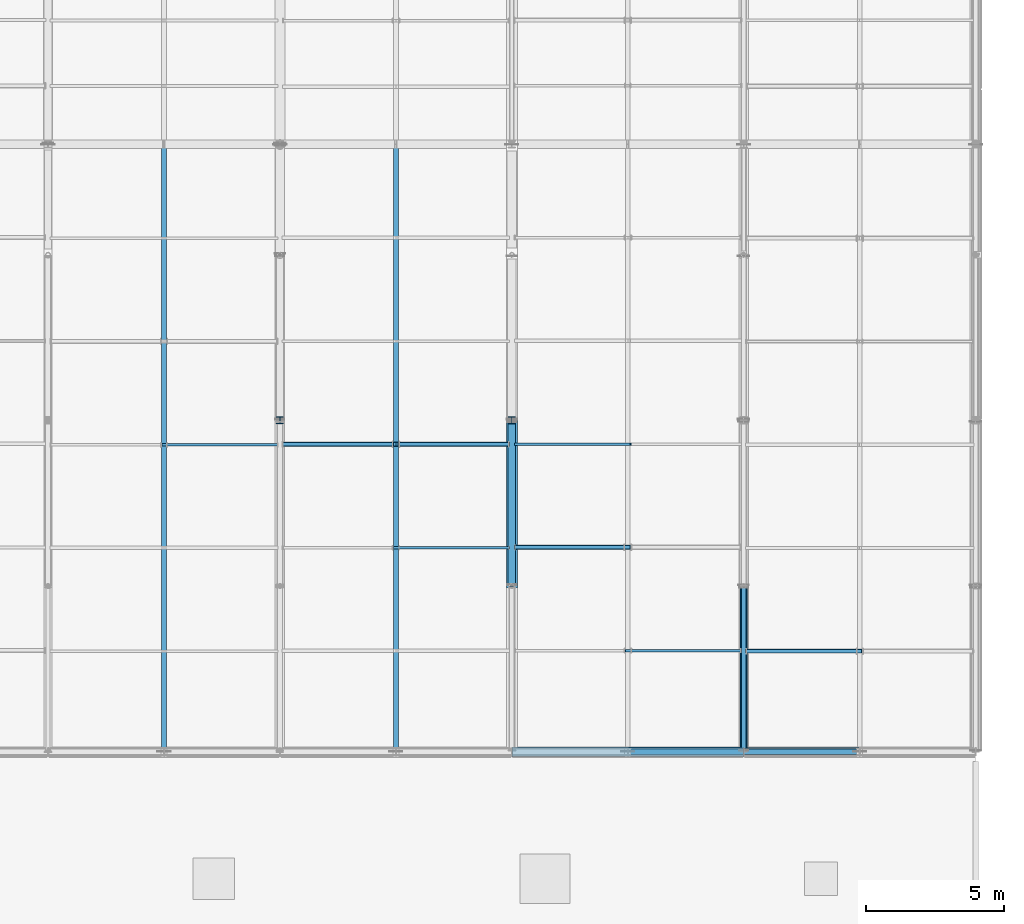
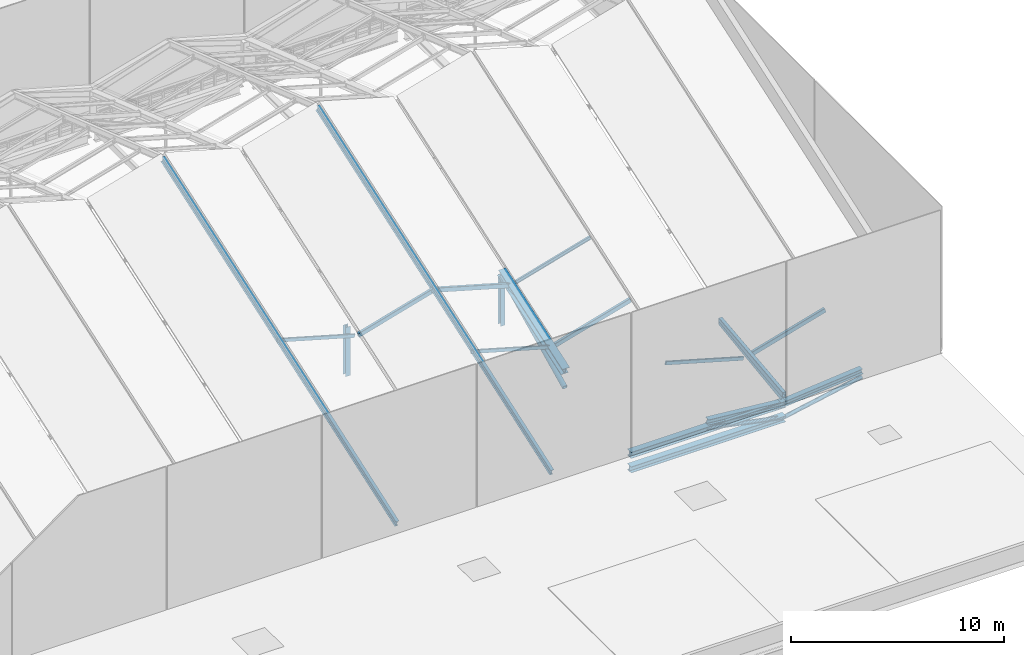
# One storey, part 22 of 77: 22 members.
"""IFC4 building model written with IfcOpenShell, lengths in metres."""

from ifc_helpers import new_model, si_unit, direction, frame, origin, origin_2d, place, context, subcontext, project, spatial, hollow_rectangle, hollow_circle, i_section, extrude, material, material_profile, profile_set, type_object, element, save


model = new_model("IFC4")

# Units and contexts
model_context = context("Model", 3, precision=1e-05, world=origin(), true_north=direction((0.0, 1.0)))
body_context = subcontext(model_context, "Body", "Model", "MODEL_VIEW")
ifc_project = project(units=[si_unit("LENGTHUNIT", "METRE"), si_unit("AREAUNIT", "SQUARE_METRE"), si_unit("VOLUMEUNIT", "CUBIC_METRE"), si_unit("PLANEANGLEUNIT", "RADIAN"), si_unit("MASSUNIT", "GRAM", prefix="KILO")], contexts=[model_context])

# Site, building, storey
site_placement = place(None, origin())
site = spatial("IfcSite", under=ifc_project, at=site_placement, CompositionType="ELEMENT")
building_placement = place(site_placement, origin())
building = spatial("IfcBuilding", under=site, at=building_placement, Name="Larkvane Passage Sports Hall", CompositionType="ELEMENT")
storey_placement = place(building_placement, frame((0.0, 0.0, 22.199951171875)))
storey = spatial("IfcBuildingStorey", under=building, at=storey_placement, Name="RF", CompositionType="ELEMENT", Elevation=22.199951171875)

# Members
ifc_material_1 = material(Name="Steel S355JR", Category="steel")
ifc_material_profile_1 = material_profile(ifc_material_1, hollow_circle(Radius=0.108154296875, WallThickness=0.00830078125, at=origin_2d()), Name="CHS-216.3x8.2")
ifc_profile_set_1 = profile_set([ifc_material_profile_1], Name="Steel S355JR")
member_type_1 = type_object("IfcMemberType", Name="MBR-BR-CHS216", PredefinedType="BRACE", material=ifc_profile_set_1)
for number, where, z_axis, x_axis, name in (
    (1, (81.0, 39.60009765625, 0.050048828125), (0.98102339237, 0.0, -0.193889410804), (0.0, 1.0, 0.0), "Arena south valley eave truss web 6B"),
    (2, (85.199951171875, 39.60009765625, -0.780029296875), (0.98102339237, 0.0, 0.193889410804), (0.0, 1.0, 0.0), "Arena south valley eave truss web 7A"),
):
    element("IfcMember", number, at=place(storey_placement, frame(where, z_axis=z_axis, x_axis=x_axis)), inside=storey, type_object=member_type_1, Name=name, PredefinedType="BRACE", context=body_context, shape_type="SweptSolid", body=[
        extrude(hollow_circle(Radius=0.108154296875, WallThickness=0.00830078125, at=origin_2d()), origin(), (0.0, 0.0, 1.0), 4.28125),
    ])
ifc_material_profile_2 = material_profile(ifc_material_1, hollow_circle(Radius=0.1337890625, WallThickness=0.00927734375, at=origin_2d()), Name="CHS-267.4x9.3")
ifc_profile_set_2 = profile_set([ifc_material_profile_2], Name="Steel S355JR")
member_type_2 = type_object("IfcMemberType", Name="MBR-BR-CHS267", PredefinedType="BRACE", material=ifc_profile_set_2)
member_1_placement = place(storey_placement, frame((76.800048828125, 45.64990234375, 0.18994140625), z_axis=(0.0, 0.900709571031, 0.434421763559), x_axis=(-1.0, 0.0, 0.0)))
element("IfcMember", 3, at=member_1_placement, inside=storey, type_object=member_type_2, Name="Arena roof truss 6 web brace 2", PredefinedType="BRACE", context=body_context, shape_type="SweptSolid", body=[
    extrude(hollow_circle(Radius=0.1337890625, WallThickness=0.00927734375, at=origin_2d()), origin(), (0.0, 0.0, 1.0), 6.550537109375),
])
member_2_placement = place(storey_placement, frame((85.199951171875, 39.64990234375, 0.215087890625), z_axis=(0.0, 0.990985957758, 0.133965784913), x_axis=(-1.0, 0.0, 0.0)))
element("IfcMember", 4, at=member_2_placement, inside=storey, type_object=member_type_2, Name="Arena roof truss 7 web brace 1", PredefinedType="BRACE", context=body_context, shape_type="SweptSolid", body=[
    extrude(hollow_circle(Radius=0.1337890625, WallThickness=0.00927734375, at=origin_2d()), origin(), (0.0, 0.0, 1.0), 5.953857421875),
])
ifc_material_2 = material(Name="Steel S460N", Category="steel")
ifc_material_profile_3 = material_profile(ifc_material_2, i_section(OverallWidth=0.300048828125, OverallDepth=0.300048828125, WebThickness=0.010009765625, FlangeThickness=0.014892578125, FilletRadius=0.012939453125, at=origin_2d()), Name="H-300x300x10x15")
ifc_profile_set_3 = profile_set([ifc_material_profile_3], Name="Steel S460N")
member_type_3 = type_object("IfcMemberType", Name="MBR-CH-H300", PredefinedType="CHORD", material=ifc_profile_set_3)
for number, where, z_axis, x_axis, name in (
    (5, (81.0, 39.60009765625, 0.449951171875), (0.99549755299, 0.0, -0.094787245934), (0.0, 1.0, 0.0), "Arena roof fold tie 6-SEAVE-E"),
    (6, (85.199951171875, 39.60009765625, 0.050048828125), (0.99549755299, 0.0, 0.094787245934), (0.0, 1.0, 0.0), "Arena roof fold tie 7-SEAVE-W"),
):
    element("IfcMember", number, at=place(storey_placement, frame(where, z_axis=z_axis, x_axis=x_axis)), inside=storey, type_object=member_type_3, Name=name, PredefinedType="CHORD", context=body_context, shape_type="SweptSolid", body=[
        extrude(i_section(OverallWidth=0.300048828125, OverallDepth=0.300048828125, WebThickness=0.010009765625, FlangeThickness=0.014892578125, FilletRadius=0.012939453125, at=origin_2d()), origin(), (0.0, 0.0, 1.0), 4.218994140625),
    ])
ifc_material_profile_4 = material_profile(ifc_material_2, i_section(OverallWidth=0.35009765625, OverallDepth=0.35009765625, WebThickness=0.011962890625, FlangeThickness=0.01904296875, FilletRadius=0.012939453125, at=origin_2d()), Name="H-350x350x12x19")
ifc_profile_set_4 = profile_set([ifc_material_profile_4], Name="Steel S460N")
member_type_4 = type_object("IfcMemberType", Name="MBR-CH-H350", PredefinedType="CHORD", material=ifc_profile_set_4)
for number, where, z_axis, x_axis, name in (
    (7, (76.800048828125, 39.60009765625, -0.780029296875), (1.0, 0.0, 0.0), (0.0, 1.0, 0.0), "Arena south valley eave truss bottom chord 6"),
    (8, (76.800048828125, 39.60009765625, 0.050048828125), (1.0, 0.0, 0.0), (0.0, 1.0, 0.0), "Arena south valley eave truss top chord 6"),
):
    element("IfcMember", number, at=place(storey_placement, frame(where, z_axis=z_axis, x_axis=x_axis)), inside=storey, type_object=member_type_4, Name=name, PredefinedType="CHORD", context=body_context, shape_type="SweptSolid", body=[
        extrude(i_section(OverallWidth=0.35009765625, OverallDepth=0.35009765625, WebThickness=0.011962890625, FlangeThickness=0.01904296875, FilletRadius=0.012939453125, at=origin_2d()), origin(), (0.0, 0.0, 1.0), 8.39990234375),
    ])
ifc_material_profile_5 = material_profile(ifc_material_2, i_section(OverallWidth=0.39990234375, OverallDepth=0.39990234375, WebThickness=0.012939453125, FlangeThickness=0.02099609375, FilletRadius=0.02197265625, at=origin_2d()), Name="H-400x400x13x21")
ifc_profile_set_5 = profile_set([ifc_material_profile_5], Name="Steel S460N")
member_type_5 = type_object("IfcMemberType", Name="MBR-CH-H400", PredefinedType="CHORD", material=ifc_profile_set_5)
member_3_placement = place(storey_placement, frame((76.800048828125, 45.60009765625, 1.15283203125), z_axis=(0.0, 0.945188910593, 0.326524001096), x_axis=(-1.0, 0.0, 0.0)))
element("IfcMember", 9, at=member_3_placement, inside=storey, type_object=member_type_5, Name="Arena roof truss 6 top chord 2", PredefinedType="CHORD", context=body_context, shape_type="SweptSolid", body=[
    extrude(i_section(OverallWidth=0.39990234375, OverallDepth=0.39990234375, WebThickness=0.012939453125, FlangeThickness=0.02099609375, FilletRadius=0.02197265625, at=origin_2d()), origin(), (0.0, 0.0, 1.0), 6.347900390625),
])
ifc_material_profile_6 = material_profile(ifc_material_2, hollow_rectangle(XDim=0.199951171875, YDim=0.300048828125, WallThickness=0.011962890625, InnerFilletRadius=0.011962890625, OuterFilletRadius=0.02392578125, at=origin_2d()), Name="RHS-300x200x12")
ifc_profile_set_6 = profile_set([ifc_material_profile_6], Name="Steel S460N")
member_type_6 = type_object("IfcMemberType", Name="MBR-CH-RHS300", PredefinedType="CHORD", material=ifc_profile_set_6)
member_4_placement = place(storey_placement, frame((85.199951171875, 39.60009765625, 0.5), z_axis=(0.0, 0.994132743148, 0.108166949674), x_axis=(-1.0, 0.0, 0.0)))
element("IfcMember", 10, at=member_4_placement, inside=storey, type_object=member_type_6, Name="Arena roof truss 7 top chord 1", PredefinedType="CHORD", context=body_context, shape_type="SweptSolid", body=[
    extrude(hollow_rectangle(XDim=0.199951171875, YDim=0.300048828125, WallThickness=0.011962890625, InnerFilletRadius=0.011962890625, OuterFilletRadius=0.02392578125, at=origin_2d()), origin(), (0.0, 0.0, 1.0), 6.035400390625),
])
ifc_material_profile_7 = material_profile(ifc_material_1, i_section(OverallWidth=0.10009765625, OverallDepth=0.199951171875, WebThickness=0.005615234375, FlangeThickness=0.008056640625, FilletRadius=0.008056640625, at=origin_2d()), Name="H-200x100x5.5x8")
ifc_profile_set_7 = profile_set([ifc_material_profile_7], Name="Steel S355JR")
member_type_7 = type_object("IfcMemberType", Name="MBR-PR-H200", PredefinedType="PURLIN", material=ifc_profile_set_7)
member_5_placement = place(storey_placement, frame((76.916015625, 50.740234375, 2.993896484375), z_axis=(0.961511291812, 0.0, 0.274765419436), x_axis=(0.0, 1.0, 0.0)))
element("IfcMember", 11, at=member_5_placement, inside=storey, type_object=member_type_7, Name="Folded roof purlin FRP-B6-SW-3", PredefinedType="PURLIN", context=body_context, shape_type="SweptSolid", body=[
    extrude(i_section(OverallWidth=0.10009765625, OverallDepth=0.199951171875, WebThickness=0.005615234375, FlangeThickness=0.008056640625, FilletRadius=0.008056640625, at=origin_2d()), origin(), (0.0, 0.0, 1.0), 4.3681640625),
])
ifc_material_profile_8 = material_profile(ifc_material_1, hollow_rectangle(XDim=0.10009765625, YDim=0.199951171875, WallThickness=0.008056640625, InnerFilletRadius=0.008056640625, OuterFilletRadius=0.01611328125, at=origin_2d()), Name="RHS-200x100x8")
ifc_profile_set_8 = profile_set([ifc_material_profile_8], Name="Steel S355JR")
member_type_8 = type_object("IfcMemberType", Name="MBR-PR-RHS200", PredefinedType="PURLIN", material=ifc_profile_set_8)
member_6_placement = place(storey_placement, frame((64.104736328125, 50.715087890625, 4.26708984375), z_axis=(0.961515511102, 0.0, -0.274750654067), x_axis=(0.0, 1.0, 0.0)))
element("IfcMember", 12, at=member_6_placement, inside=storey, type_object=member_type_8, Name="Folded roof purlin FRP-B4-SE-3", PredefinedType="PURLIN", context=body_context, shape_type="SweptSolid", body=[
    extrude(hollow_rectangle(XDim=0.10009765625, YDim=0.199951171875, WallThickness=0.008056640625, InnerFilletRadius=0.008056640625, OuterFilletRadius=0.01611328125, at=origin_2d()), origin(), (0.0, 0.0, 1.0), 4.368408203125),
])
member_7_placement = place(storey_placement, frame((72.494384765625, 46.987548828125, 2.9384765625), z_axis=(0.96152605678, 0.0, -0.274713745804), x_axis=(0.0, 1.0, 0.0)))
element("IfcMember", 13, at=member_7_placement, inside=storey, type_object=member_type_8, Name="Folded roof purlin FRP-B5-SE-2", PredefinedType="PURLIN", context=body_context, shape_type="SweptSolid", body=[
    extrude(hollow_rectangle(XDim=0.10009765625, YDim=0.199951171875, WallThickness=0.008056640625, InnerFilletRadius=0.008056640625, OuterFilletRadius=0.01611328125, at=origin_2d()), origin(), (0.0, 0.0, 1.0), 4.367919921875),
])
member_8_placement = place(storey_placement, frame((80.884033203125, 43.26025390625, 1.610107421875), z_axis=(0.961511291812, 0.0, -0.274765419436), x_axis=(0.0, 1.0, 0.0)))
element("IfcMember", 14, at=member_8_placement, inside=storey, type_object=member_type_8, Name="Folded roof purlin FRP-B6-SE-1", PredefinedType="PURLIN", context=body_context, shape_type="SweptSolid", body=[
    extrude(hollow_rectangle(XDim=0.10009765625, YDim=0.199951171875, WallThickness=0.008056640625, InnerFilletRadius=0.008056640625, OuterFilletRadius=0.01611328125, at=origin_2d()), origin(), (0.0, 0.0, 1.0), 4.3681640625),
])
ifc_material_profile_9 = material_profile(ifc_material_1, hollow_rectangle(XDim=0.14990234375, YDim=0.25, WallThickness=0.009033203125, InnerFilletRadius=0.009033203125, OuterFilletRadius=0.01806640625, at=origin_2d()), Name="RHS-250x150x9")
ifc_profile_set_9 = profile_set([ifc_material_profile_9], Name="Steel S355JR")
member_type_9 = type_object("IfcMemberType", Name="MBR-PR-RHS250", PredefinedType="PURLIN", material=ifc_profile_set_9)
member_9_placement = place(storey_placement, frame((68.51220703125, 50.735595703125, 3.007568359375), z_axis=(0.961511291812, 0.0, 0.274765419436), x_axis=(0.0, 1.0, 0.0)))
element("IfcMember", 15, at=member_9_placement, inside=storey, type_object=member_type_9, Name="Folded roof purlin FRP-B5-SW-3", PredefinedType="PURLIN", context=body_context, shape_type="SweptSolid", body=[
    extrude(hollow_rectangle(XDim=0.14990234375, YDim=0.25, WallThickness=0.009033203125, InnerFilletRadius=0.009033203125, OuterFilletRadius=0.01806640625, at=origin_2d()), origin(), (0.0, 0.0, 1.0), 4.3681640625),
])
member_10_placement = place(storey_placement, frame((72.48779296875, 50.735595703125, 4.207763671875), z_axis=(0.961515511102, 0.0, -0.274750654067), x_axis=(0.0, 1.0, 0.0)))
element("IfcMember", 16, at=member_10_placement, inside=storey, type_object=member_type_9, Name="Folded roof purlin FRP-B5-SE-3", PredefinedType="PURLIN", context=body_context, shape_type="SweptSolid", body=[
    extrude(hollow_rectangle(XDim=0.14990234375, YDim=0.25, WallThickness=0.009033203125, InnerFilletRadius=0.009033203125, OuterFilletRadius=0.01806640625, at=origin_2d()), origin(), (0.0, 0.0, 1.0), 4.368408203125),
])
for number, where, z_axis, x_axis, name in (
    (17, (76.922607421875, 47.008056640625, 1.67919921875), (0.96152605678, 0.0, 0.274713745804), (0.0, 1.0, 0.0), "Folded roof purlin FRP-B6-SW-2"),
    (18, (85.3017578125, 43.242919921875, 0.460205078125), (0.96152605678, 0.0, 0.274713745804), (0.0, 1.0, 0.0), "Folded roof purlin FRP-B7-SW-1"),
):
    element("IfcMember", number, at=place(storey_placement, frame(where, z_axis=z_axis, x_axis=x_axis)), inside=storey, type_object=member_type_9, Name=name, PredefinedType="PURLIN", context=body_context, shape_type="SweptSolid", body=[
        extrude(hollow_rectangle(XDim=0.14990234375, YDim=0.25, WallThickness=0.009033203125, InnerFilletRadius=0.009033203125, OuterFilletRadius=0.01806640625, at=origin_2d()), origin(), (0.0, 0.0, 1.0), 4.367919921875),
    ])
ifc_material_profile_10 = material_profile(ifc_material_1, i_section(OverallWidth=0.175048828125, OverallDepth=0.35009765625, WebThickness=0.007080078125, FlangeThickness=0.010986328125, FilletRadius=0.012939453125, at=origin_2d()), Name="H-350x175x7x11")
ifc_profile_set_10 = profile_set([ifc_material_profile_10], Name="Steel S355JR")
member_type_10 = type_object("IfcMemberType", Name="MBR-RF-H350", PredefinedType="RAFTER", material=ifc_profile_set_10)
for number, where, z_axis, x_axis, name in (
    (19, (64.199951171875, 39.60009765625, 0.449951171875), (0.0, 0.945188910593, 0.326524001096), (-1.0, 0.0, 0.0), "Arena roof fold peak rafter 4-S"),
    (20, (72.60009765625, 39.60009765625, 0.449951171875), (0.0, 0.945188910593, 0.326524001096), (-1.0, 0.0, 0.0), "Arena roof fold peak rafter 5-S"),
):
    element("IfcMember", number, at=place(storey_placement, frame(where, z_axis=z_axis, x_axis=x_axis)), inside=storey, type_object=member_type_10, Name=name, PredefinedType="RAFTER", context=body_context, shape_type="SweptSolid", body=[
        extrude(i_section(OverallWidth=0.175048828125, OverallDepth=0.35009765625, WebThickness=0.007080078125, FlangeThickness=0.010986328125, FilletRadius=0.012939453125, at=origin_2d()), origin(), (0.0, 0.0, 1.0), 23.27587890625),
    ])
ifc_material_profile_11 = material_profile(ifc_material_1, i_section(OverallWidth=0.25, OverallDepth=0.25, WebThickness=0.009033203125, FlangeThickness=0.013916015625, FilletRadius=0.012939453125, at=origin_2d()), Name="H-250x250x9x14")
ifc_profile_set_11 = profile_set([ifc_material_profile_11], Name="Steel S355JR")
member_type_11 = type_object("IfcMemberType", Name="MBR-ST-H250", PredefinedType="STRUT", material=ifc_profile_set_11)
member_11_placement = place(storey_placement, frame((68.39990234375, 51.60009765625, 0.239990234375), z_axis=(0.0, 0.0, 1.0), x_axis=(1.0, 0.0, 0.0)))
element("IfcMember", 21, at=member_11_placement, inside=storey, type_object=member_type_11, Name="Arena roof truss 5 vertical strut 2", PredefinedType="STRUT", context=body_context, shape_type="SweptSolid", body=[
    extrude(i_section(OverallWidth=0.25, OverallDepth=0.25, WebThickness=0.009033203125, FlangeThickness=0.013916015625, FilletRadius=0.012939453125, at=origin_2d()), origin(), (0.0, 0.0, 1.0), 2.820556640625),
])
member_12_placement = place(storey_placement, frame((76.800048828125, 51.60009765625, 0.18994140625), z_axis=(0.0, 0.0, 1.0), x_axis=(1.0, 0.0, 0.0)))
element("IfcMember", 22, at=member_12_placement, inside=storey, type_object=member_type_11, Name="Arena roof truss 6 vertical strut 2", PredefinedType="STRUT", context=body_context, shape_type="SweptSolid", body=[
    extrude(i_section(OverallWidth=0.25, OverallDepth=0.25, WebThickness=0.009033203125, FlangeThickness=0.013916015625, FilletRadius=0.012939453125, at=origin_2d()), origin(), (0.0, 0.0, 1.0), 2.845703125),
])

save(model, "model.ifc")
